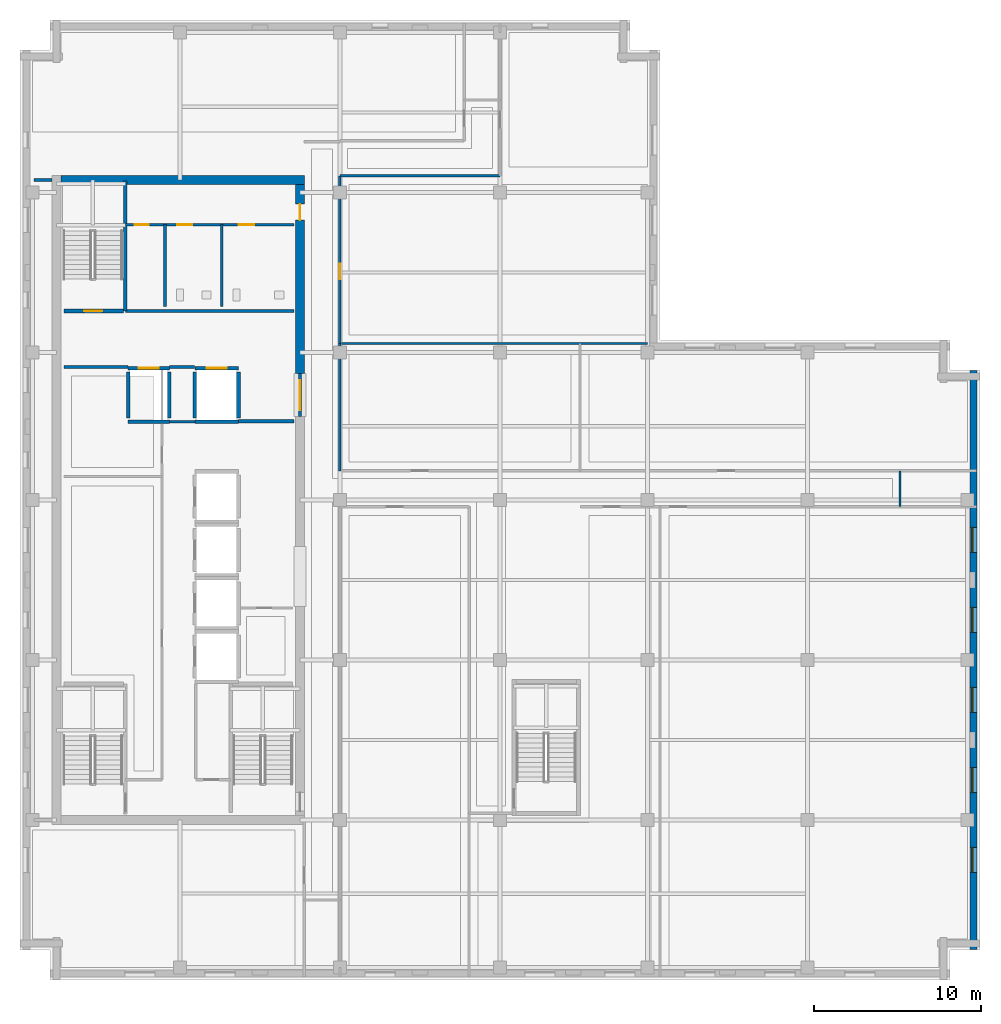
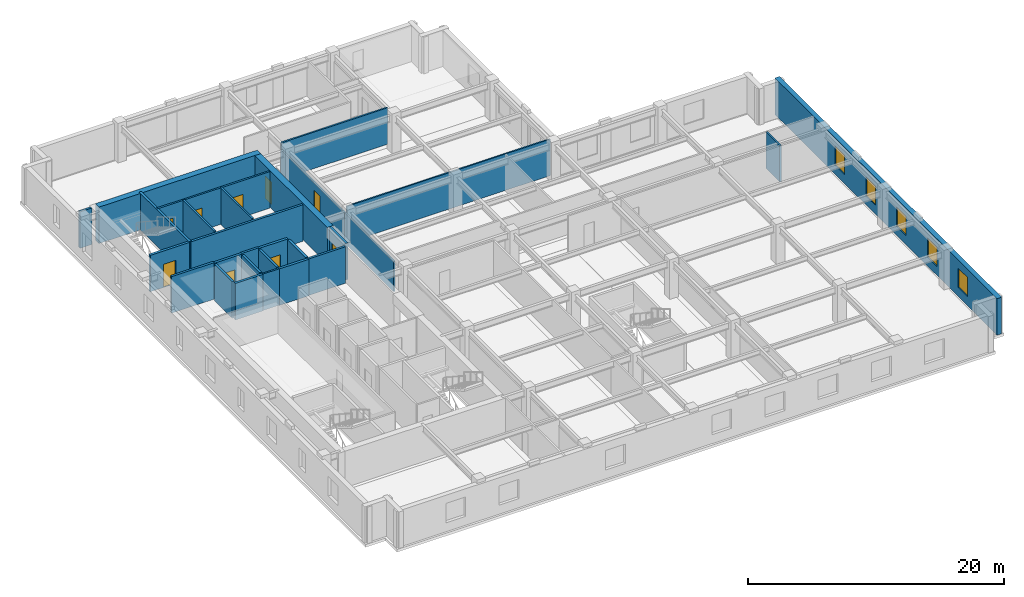
# One storey, part 5 of 11: 28 walls, 9 doors, 5 windows, 14 openings.
"""IFC4 building model written with IfcOpenShell, lengths in metres."""

import ifcopenshell
import ifcopenshell.guid

model = None  # the IFC model being written
_history = None  # IfcOwnerHistory: only IFC2X3 demands one
_inside = {}  # id of a spatial element -> (the spatial element, [elements in it])
_under = {}  # id of a project, library or spatial element -> (it, [spatial elements below it])
_declared = {}  # id of a project -> (the project, [libraries it declares])
_typed = {}  # id of a type object -> (the type object, [elements of that type])
_made_of = {}  # id of a material, layer set ... -> (it, [elements and type objects made of it])


def new_model(schema):
    """Start an empty IFC model of exactly this schema.

    Asked for "IFC4X3", IfcOpenShell would pick the latest addendum, in which some entities
    have other attributes; the version numbers below select the first issue.
    IFC2X3 requires an IfcOwnerHistory on every rooted entity: one is made here for all.
    """
    global model, _history
    if schema == "IFC4X3":
        model = ifcopenshell.file(schema_version=(4, 3, 0, 0))
    else:
        model = ifcopenshell.file(schema=schema)
    _inside.clear()
    _under.clear()
    _declared.clear()
    _typed.clear()
    _made_of.clear()
    _history = None
    if model.schema == "IFC2X3":
        org = make("IfcOrganization", Name="unknown")
        user = make(
            "IfcPersonAndOrganization",
            ThePerson=make("IfcPerson", FamilyName="unknown"),
            TheOrganization=org,
        )
        app = make(
            "IfcApplication",
            ApplicationDeveloper=org,
            Version="unknown",
            ApplicationFullName="unknown",
            ApplicationIdentifier="unknown",
        )
        _history = make(
            "IfcOwnerHistory",
            OwningUser=user,
            OwningApplication=app,
            ChangeAction="ADDED",
            CreationDate=0,
        )
    return model


def make(cls, **values):
    """One entity of the class cls with the attributes given. An attribute that is None is left unset."""
    return model.create_entity(
        cls, **{name: value for name, value in values.items() if value is not None}
    )


def rooted(cls, **values):
    """An entity with a GlobalId (a new one), such as an element, a storey or a relation."""
    return make(cls, GlobalId=ifcopenshell.guid.new(), OwnerHistory=_history, **values)


def si_unit(unit_type, name, prefix=None):
    """IfcSIUnit, for example si_unit("LENGTHUNIT", "METRE", prefix="MILLI")."""
    return make("IfcSIUnit", UnitType=unit_type, Prefix=prefix, Name=name)


def assignment(units):
    """IfcUnitAssignment: the units of a project."""
    return None if units is None else make("IfcUnitAssignment", Units=units)


def point(xyz):
    """IfcCartesianPoint."""
    return None if xyz is None else make("IfcCartesianPoint", Coordinates=xyz)


def direction(xyz):
    """IfcDirection."""
    return None if xyz is None else make("IfcDirection", DirectionRatios=xyz)


def frame(location, z_axis=None, x_axis=None):
    """IfcAxis2Placement3D, a coordinate frame: its origin and axes. An axis left out is left unset."""
    return make(
        "IfcAxis2Placement3D",
        Location=point(location),
        Axis=direction(z_axis),
        RefDirection=direction(x_axis),
    )


def frame_2d(location, x_axis=None):
    """IfcAxis2Placement2D, a coordinate frame in the plane: its origin and x axis."""
    return make(
        "IfcAxis2Placement2D", Location=point(location), RefDirection=direction(x_axis)
    )


def origin():
    """The frame at (0, 0, 0) with its axes left unset."""
    return frame((0.0, 0.0, 0.0))


def place(relative_to, where):
    """IfcLocalPlacement: puts the frame where relative to a parent placement (None: the world)."""
    return make(
        "IfcLocalPlacement", PlacementRelTo=relative_to, RelativePlacement=where
    )


def context(
    kind, dimensions, precision=None, world=None, true_north=None, identifier=None
):
    """IfcGeometricRepresentationContext, for example the 3D "Model" context."""
    return make(
        "IfcGeometricRepresentationContext",
        ContextIdentifier=identifier,
        ContextType=kind,
        CoordinateSpaceDimension=dimensions,
        Precision=precision,
        WorldCoordinateSystem=world,
        TrueNorth=true_north,
    )


def subcontext(parent, identifier, kind, view, scale=None):
    """IfcGeometricRepresentationSubContext, for example "Body" below "Model"."""
    return make(
        "IfcGeometricRepresentationSubContext",
        ContextIdentifier=identifier,
        ContextType=kind,
        ParentContext=parent,
        TargetScale=scale,
        TargetView=view,
    )


def project(units=None, contexts=None):
    """IfcProject with its units and contexts."""
    return rooted(
        "IfcProject",
        Name="project",
        RepresentationContexts=contexts,
        UnitsInContext=assignment(units),
    )


def spatial(cls, under=None, at=None, **own):
    """A site, building, storey or space (cls), placed at a placement, below another one or the project."""
    s = rooted(cls, ObjectPlacement=at, **own)
    if under is not None:
        _under.setdefault(under.id(), (under, []))[1].append(s)
    return s


def profile(cls, at=None, kind="AREA", **sizes):
    """A parametric profile (cls). Its sizes go by their IFC names, for example OverallWidth=200.0."""
    return make(cls, ProfileType=kind, Position=at, **sizes)


def rectangle(**sizes):
    """IfcRectangleProfileDef."""
    return profile("IfcRectangleProfileDef", **sizes)


def extrude(swept, where, along, depth):
    """IfcExtrudedAreaSolid: the profile swept, set in the frame where, extruded along a direction by depth."""
    return make(
        "IfcExtrudedAreaSolid",
        SweptArea=swept,
        Position=where,
        ExtrudedDirection=direction(along),
        Depth=depth,
    )


def shape(context_of_items, identifier, shape_type, items):
    """IfcShapeRepresentation: the items that make up one representation, for example the "Body"."""
    return make(
        "IfcShapeRepresentation",
        ContextOfItems=context_of_items,
        RepresentationIdentifier=identifier,
        RepresentationType=shape_type,
        Items=items,
    )


def material(Name=None, Category=None):
    """IfcMaterial."""
    return make("IfcMaterial", Name=Name, Category=Category)


def layer(
    of_material, thickness, ventilated=None, Name=None, Category=None, Priority=None
):
    """IfcMaterialLayer: one layer of a wall or slab, of a material (None: an air gap)."""
    return make(
        "IfcMaterialLayer",
        Material=of_material,
        LayerThickness=thickness,
        IsVentilated=ventilated,
        Name=Name,
        Category=Category,
        Priority=Priority,
    )


def layer_set(layers, Name=None):
    """IfcMaterialLayerSet."""
    return make("IfcMaterialLayerSet", MaterialLayers=layers, LayerSetName=Name)


def made_of(thing, what):
    """Note that an element or type object is made of a material, layer set ...; save() writes the relation."""
    if what is not None:
        _made_of.setdefault(what.id(), (what, []))[1].append(thing)
    return thing


def type_object(cls, material=None, **own):
    """A type object (cls), such as IfcWallType, which elements share."""
    return made_of(rooted(cls, **own), material)


def element(
    cls,
    number,
    at=None,
    inside=None,
    cuts=None,
    type_object=None,
    material=None,
    context=None,
    identifier="Body",
    shape_type=None,
    held_by="IfcProductDefinitionShape",
    body=None,
    shapes=None,
    **own,
):
    """One element of the class cls, such as IfcWall. Its Tag is "e" and its number.

    at: its placement. inside: the storey or other place that contains it. cuts: it is an
    opening in that element (IfcRelVoidsElement). A single representation is given by context,
    identifier, shape_type and body (its items); several are given by shapes. held_by: the class
    of the entity that holds the representations. save() writes the other relations.
    """
    e = rooted(cls, Tag="e%d" % number, ObjectPlacement=at, **own)
    if body is not None:
        shapes = [shape(context, identifier, shape_type, body)]
    if shapes is not None:
        e.Representation = make(held_by, Representations=shapes)
    if inside is not None:
        _inside.setdefault(inside.id(), (inside, []))[1].append(e)
    if cuts is not None:
        rooted(
            "IfcRelVoidsElement", RelatingBuildingElement=cuts, RelatedOpeningElement=e
        )
    if type_object is not None:
        _typed.setdefault(type_object.id(), (type_object, []))[1].append(e)
    return made_of(e, material)


def fill(opening, filler):
    """IfcRelFillsElement: the door or window that sits in an opening."""
    return rooted(
        "IfcRelFillsElement",
        RelatingOpeningElement=opening,
        RelatedBuildingElement=filler,
    )


def aggregate(whole, parts):
    """IfcRelAggregates: a whole, such as a stair, and the parts it consists of."""
    return rooted("IfcRelAggregates", RelatingObject=whole, RelatedObjects=parts)


def save(model, path):
    """Write the relations noted so far, then the file.

    IfcRelAggregates (storeys below a building ...), IfcRelContainedInSpatialStructure (elements
    in a storey), IfcRelDefinesByType, IfcRelAssociatesMaterial and IfcRelDeclares: one each for
    every whole, place, type object, material and project.
    """
    for whole, parts in _under.values():
        aggregate(whole, parts)
    for where, things in _inside.values():
        rooted(
            "IfcRelContainedInSpatialStructure",
            RelatedElements=things,
            RelatingStructure=where,
        )
    for kind, things in _typed.values():
        rooted("IfcRelDefinesByType", RelatedObjects=things, RelatingType=kind)
    for what, things in _made_of.values():
        rooted("IfcRelAssociatesMaterial", RelatedObjects=things, RelatingMaterial=what)
    for by, libraries in _declared.values():
        rooted("IfcRelDeclares", RelatingContext=by, RelatedDefinitions=libraries)
    model.write(path)


model = new_model("IFC4")

# Units and contexts
model_context = context("Model", 3, precision=1e-05, world=origin(), true_north=direction((0.0, 1.0)))
body_context = subcontext(model_context, "Body", "Model", "MODEL_VIEW")
ifc_project = project(units=[si_unit("LENGTHUNIT", "METRE"), si_unit("AREAUNIT", "SQUARE_METRE"), si_unit("VOLUMEUNIT", "CUBIC_METRE"), si_unit("PLANEANGLEUNIT", "RADIAN"), si_unit("MASSUNIT", "GRAM", prefix="KILO")], contexts=[model_context])

# Site, building, storey
site_placement = place(None, origin())
site = spatial("IfcSite", under=ifc_project, at=site_placement, CompositionType="ELEMENT")
building_placement = place(site_placement, origin())
building = spatial("IfcBuilding", under=site, at=building_placement, Name="Norrvale University Quadrangle", CompositionType="ELEMENT")
storey_placement = place(building_placement, frame((0.0, 0.0, 252.199951171875)))
storey = spatial("IfcBuildingStorey", under=building, at=storey_placement, Name="L64", CompositionType="ELEMENT", Elevation=252.199951171875)

# Wall, openings, windows
ifc_material_1 = material(Name="Buff Norman Clay Brick Masonry", Category="masonry")
ifc_layer_1 = layer(ifc_material_1, 0.419921875, Name="Buff Norman Clay Brick Masonry")
ifc_layer_set_1 = layer_set([ifc_layer_1], Name="Buff Norman Clay Brick Masonry")
wall_type_1 = type_object("IfcWallType", Name="Wall Buff Brick 420", PredefinedType="SOLIDWALL", material=ifc_layer_set_1)
wall_1_placement = place(storey_placement, frame((57.2099609375, 1.840087890625, 0.0), z_axis=(0.0, 0.0, 1.0), x_axis=(0.0, 1.0, 0.0)))
wall_1 = element("IfcWall", 1, at=wall_1_placement, inside=storey, type_object=wall_type_1, Name="Exterior Brick Facade Wall L64-04.1", PredefinedType="SOLIDWALL", context=body_context, shape_type="SweptSolid", body=[
    extrude(rectangle(XDim=34.719970703125, YDim=0.419921875, at=frame_2d((17.35986328125, 0.0))), origin(), (0.0, 0.0, 1.0), 3.47998046875),
])
opening_1_placement = place(wall_1_placement, frame((4.610107421875, 0.0, 0.85009765625)))
opening_1 = element("IfcOpeningElement", 2, at=opening_1_placement, cuts=wall_1, Name="Opening W03", PredefinedType="OPENING", context=body_context, shape_type="SweptSolid", body=[
    extrude(rectangle(XDim=1.5, YDim=1.85009765625, at=frame_2d((0.75, 0.925048828125))), frame((0.0, 0.221923828125, 0.0), z_axis=(0.0, -1.0, 0.0), x_axis=(1.0, 0.0, 0.0)), (0.0, 0.0, 1.0), 0.44384765625),
])
opening_2_placement = place(wall_1_placement, frame((9.409912109375, 0.0, 0.85009765625)))
opening_2 = element("IfcOpeningElement", 3, at=opening_2_placement, cuts=wall_1, Name="Opening W03", PredefinedType="OPENING", context=body_context, shape_type="SweptSolid", body=[
    extrude(rectangle(XDim=1.5, YDim=1.85009765625, at=frame_2d((0.75, 0.925048828125))), frame((0.0, 0.221923828125, 0.0), z_axis=(0.0, -1.0, 0.0), x_axis=(1.0, 0.0, 0.0)), (0.0, 0.0, 1.0), 0.44384765625),
])
opening_3_placement = place(wall_1_placement, frame((14.2099609375, 0.0, 0.85009765625)))
opening_3 = element("IfcOpeningElement", 4, at=opening_3_placement, cuts=wall_1, Name="Opening W03", PredefinedType="OPENING", context=body_context, shape_type="SweptSolid", body=[
    extrude(rectangle(XDim=1.5, YDim=1.85009765625, at=frame_2d((0.75, 0.925048828125))), frame((0.0, 0.221923828125, 0.0), z_axis=(0.0, -1.0, 0.0), x_axis=(1.0, 0.0, 0.0)), (0.0, 0.0, 1.0), 0.44384765625),
])
opening_4_placement = place(wall_1_placement, frame((19.010009765625, 0.0, 0.85009765625)))
opening_4 = element("IfcOpeningElement", 5, at=opening_4_placement, cuts=wall_1, Name="Opening W03", PredefinedType="OPENING", context=body_context, shape_type="SweptSolid", body=[
    extrude(rectangle(XDim=1.5, YDim=1.85009765625, at=frame_2d((0.75, 0.925048828125))), frame((0.0, 0.221923828125, 0.0), z_axis=(0.0, -1.0, 0.0), x_axis=(1.0, 0.0, 0.0)), (0.0, 0.0, 1.0), 0.44384765625),
])
opening_5_placement = place(wall_1_placement, frame((23.81005859375, 0.0, 0.85009765625)))
opening_5 = element("IfcOpeningElement", 6, at=opening_5_placement, cuts=wall_1, Name="Opening W03", PredefinedType="OPENING", context=body_context, shape_type="SweptSolid", body=[
    extrude(rectangle(XDim=1.5, YDim=1.85009765625, at=frame_2d((0.75, 0.925048828125))), frame((0.0, 0.221923828125, 0.0), z_axis=(0.0, -1.0, 0.0), x_axis=(1.0, 0.0, 0.0)), (0.0, 0.0, 1.0), 0.44384765625),
])
ifc_material_2 = material(Name="Triple Low-E Argon Glazing", Category="glass")
window_type = type_object("IfcWindowType", Name="Window Studio 1500x2300", PartitioningType="DOUBLE_PANEL_VERTICAL", PredefinedType="WINDOW", material=ifc_material_2)
window_1_placement = place(opening_1_placement, origin())
window_1 = element("IfcWindow", 7, at=window_1_placement, inside=storey, type_object=window_type, Name="Window Studio 1500x2300 WIN-L64-E04-1-01", OverallHeight=1.85009765625, OverallWidth=1.5, PartitioningType="DOUBLE_PANEL_VERTICAL", PredefinedType="WINDOW", context=body_context, shape_type="SweptSolid", body=[
    extrude(rectangle(XDim=1.5, YDim=1.85009765625, at=frame_2d((0.75, 0.925048828125))), frame((0.0, 0.110107421875, 0.0), z_axis=(0.0, -1.0, 0.0), x_axis=(1.0, 0.0, 0.0)), (0.0, 0.0, 1.0), 0.06005859375),
])
fill(opening_1, window_1)
window_2_placement = place(opening_2_placement, origin())
window_2 = element("IfcWindow", 8, at=window_2_placement, inside=storey, type_object=window_type, Name="Window Studio 1500x2300 WIN-L64-E04-1-02", OverallHeight=1.85009765625, OverallWidth=1.5, PartitioningType="DOUBLE_PANEL_VERTICAL", PredefinedType="WINDOW", context=body_context, shape_type="SweptSolid", body=[
    extrude(rectangle(XDim=1.5, YDim=1.85009765625, at=frame_2d((0.75, 0.925048828125))), frame((0.0, 0.110107421875, 0.0), z_axis=(0.0, -1.0, 0.0), x_axis=(1.0, 0.0, 0.0)), (0.0, 0.0, 1.0), 0.06005859375),
])
fill(opening_2, window_2)
window_3_placement = place(opening_3_placement, origin())
window_3 = element("IfcWindow", 9, at=window_3_placement, inside=storey, type_object=window_type, Name="Window Studio 1500x2300 WIN-L64-E04-1-03", OverallHeight=1.85009765625, OverallWidth=1.5, PartitioningType="DOUBLE_PANEL_VERTICAL", PredefinedType="WINDOW", context=body_context, shape_type="SweptSolid", body=[
    extrude(rectangle(XDim=1.5, YDim=1.85009765625, at=frame_2d((0.75, 0.925048828125))), frame((0.0, 0.110107421875, 0.0), z_axis=(0.0, -1.0, 0.0), x_axis=(1.0, 0.0, 0.0)), (0.0, 0.0, 1.0), 0.06005859375),
])
fill(opening_3, window_3)
window_4_placement = place(opening_4_placement, origin())
window_4 = element("IfcWindow", 10, at=window_4_placement, inside=storey, type_object=window_type, Name="Window Studio 1500x2300 WIN-L64-E04-1-04", OverallHeight=1.85009765625, OverallWidth=1.5, PartitioningType="DOUBLE_PANEL_VERTICAL", PredefinedType="WINDOW", context=body_context, shape_type="SweptSolid", body=[
    extrude(rectangle(XDim=1.5, YDim=1.85009765625, at=frame_2d((0.75, 0.925048828125))), frame((0.0, 0.110107421875, 0.0), z_axis=(0.0, -1.0, 0.0), x_axis=(1.0, 0.0, 0.0)), (0.0, 0.0, 1.0), 0.06005859375),
])
fill(opening_4, window_4)
window_5_placement = place(opening_5_placement, origin())
window_5 = element("IfcWindow", 11, at=window_5_placement, inside=storey, type_object=window_type, Name="Window Studio 1500x2300 WIN-L64-E04-1-05", OverallHeight=1.85009765625, OverallWidth=1.5, PartitioningType="DOUBLE_PANEL_VERTICAL", PredefinedType="WINDOW", context=body_context, shape_type="SweptSolid", body=[
    extrude(rectangle(XDim=1.5, YDim=1.85009765625, at=frame_2d((0.75, 0.925048828125))), frame((0.0, 0.110107421875, 0.0), z_axis=(0.0, -1.0, 0.0), x_axis=(1.0, 0.0, 0.0)), (0.0, 0.0, 1.0), 0.06005859375),
])
fill(opening_5, window_5)

# Wall
ifc_material_3 = material(Name="Concrete C60/75", Category="concrete")
ifc_layer_2 = layer(ifc_material_3, 0.550048828125, Name="Concrete C60/75")
ifc_layer_set_2 = layer_set([ifc_layer_2], Name="Concrete C60/75")
wall_type_2 = type_object("IfcWallType", Name="Wall Core 550", PredefinedType="SHEAR", material=ifc_layer_set_2)
wall_2_placement = place(storey_placement, frame((2.47509765625, 48.0, 0.0), z_axis=(0.0, 0.0, 1.0), x_axis=(1.0, 0.0, 0.0)))
element("IfcWall", 12, at=wall_2_placement, inside=storey, type_object=wall_type_2, Name="Tower Core Shear Wall L64-N", PredefinedType="SHEAR", context=body_context, shape_type="SweptSolid", body=[
    extrude(rectangle(XDim=14.599853515625, YDim=0.550048828125, at=frame_2d((7.2998046875, 0.0))), origin(), (0.0, 0.0, 1.0), 3.47998046875),
])

# Wall, opening, door
wall_3_placement = place(storey_placement, frame((16.800048828125, 36.39990234375, 0.0), z_axis=(0.0, 0.0, 1.0), x_axis=(0.0, 1.0, 0.0)))
wall_3 = element("IfcWall", 13, at=wall_3_placement, inside=storey, type_object=wall_type_2, Name="Tower Core Shear Wall L64-E3", PredefinedType="SHEAR", context=body_context, shape_type="SweptSolid", body=[
    extrude(rectangle(XDim=11.3251953125, YDim=0.550048828125, at=frame_2d((5.66259765625, 0.0))), origin(), (0.0, 0.0, 1.0), 3.47998046875),
])
opening_6_placement = place(wall_3_placement, frame((9.199951171875, 0.0, 0.0)))
opening_6 = element("IfcOpeningElement", 14, at=opening_6_placement, cuts=wall_3, Name="Opening D07", PredefinedType="OPENING", context=body_context, shape_type="SweptSolid", body=[
    extrude(rectangle(XDim=0.949951171875, YDim=2.14990234375, at=frame_2d((0.47509765625, 1.074951171875))), frame((0.0, 0.287109375, 0.0), z_axis=(0.0, -1.0, 0.0), x_axis=(1.0, 0.0, 0.0)), (0.0, 0.0, 1.0), 0.573974609375),
])
ifc_material_4 = material(Name="Solid-Core Maple Door", Category="wood")
door_type_1 = type_object("IfcDoorType", Name="Door Office 950x2150", OperationType="NOTDEFINED", PredefinedType="DOOR", material=ifc_material_4)
door_1_placement = place(opening_6_placement, origin())
door_1 = element("IfcDoor", 15, at=door_1_placement, inside=storey, type_object=door_type_1, Name="Door Office 950x2150 DR-L64-NECORR", OperationType="SINGLE_SWING_LEFT", OverallHeight=2.14990234375, OverallWidth=0.949951171875, PredefinedType="DOOR", context=body_context, shape_type="SweptSolid", body=[
    extrude(rectangle(XDim=0.949951171875, YDim=2.14990234375, at=frame_2d((0.47509765625, 1.074951171875))), frame((0.0, 0.02490234375, 0.0), z_axis=(0.0, -1.0, 0.0), x_axis=(1.0, 0.0, 0.0)), (0.0, 0.0, 1.0), 0.050048828125),
])
fill(opening_6, door_1)

# Walls
ifc_material_5 = material(Name="Standard Academic Gypsum Partition")
ifc_layer_3 = layer(ifc_material_5, 0.125, Name="Standard Academic Gypsum Partition")
ifc_layer_set_3 = layer_set([ifc_layer_3], Name="Standard Academic Gypsum Partition")
wall_type_3 = type_object("IfcWallType", Name="Wall Gypsum Academic 125", PredefinedType="PARTITIONING", material=ifc_layer_set_3)
wall_4_placement = place(storey_placement, frame((19.280029296875, 38.179931640625, 0.0), z_axis=(0.0, 0.0, 1.0), x_axis=(1.0, 0.0, 0.0)))
element("IfcWall", 16, at=wall_4_placement, inside=storey, type_object=wall_type_3, Name="Interior Partition WL-L64-ME-N", PredefinedType="PARTITIONING", context=body_context, shape_type="SweptSolid", body=[
    extrude(rectangle(XDim=18.369873046875, YDim=0.125, at=frame_2d((9.18505859375, 0.0))), origin(), (0.0, 0.0, 1.0), 3.47998046875),
])
ifc_material_6 = material(Name="Fire-Rated Gypsum Stud Partition")
ifc_layer_4 = layer(ifc_material_6, 0.14990234375, Name="Fire-Rated Gypsum Stud Partition")
ifc_layer_set_4 = layer_set([ifc_layer_4], Name="Fire-Rated Gypsum Stud Partition")
wall_type_4 = type_object("IfcWallType", Name="Wall Gypsum Corridor 150", PredefinedType="PARTITIONING", material=ifc_layer_set_4)
wall_5_placement = place(storey_placement, frame((8.965087890625, 33.489990234375, 0.0), z_axis=(0.0, 0.0, 1.0), x_axis=(1.0, 0.0, 0.0)))
element("IfcWall", 17, at=wall_5_placement, inside=storey, type_object=wall_type_4, Name="Interior Partition WL-L64-LL3", PredefinedType="PARTITIONING", context=body_context, shape_type="SweptSolid", body=[
    extrude(rectangle(XDim=1.52001953125, YDim=0.14990234375, at=frame_2d((0.760009765625, 0.0))), origin(), (0.0, 0.0, 1.0), 3.47998046875),
])
wall_6_placement = place(storey_placement, frame((52.800048828125, 28.39990234375, 0.0), z_axis=(0.0, 0.0, 1.0), x_axis=(0.0, 1.0, 0.0)))
element("IfcWall", 18, at=wall_6_placement, inside=storey, type_object=wall_type_4, Name="Interior Partition WL-L64-CESP-E", PredefinedType="PARTITIONING", context=body_context, shape_type="SweptSolid", body=[
    extrude(rectangle(XDim=2.150146484375, YDim=0.14990234375, at=frame_2d((1.0751953125, 0.0))), origin(), (0.0, 0.0, 1.0), 3.47998046875),
])
wall_7_placement = place(storey_placement, frame((19.199951171875, 30.550048828125, 0.0), z_axis=(0.0, 0.0, 1.0), x_axis=(0.0, 1.0, 0.0)))
element("IfcWall", 19, at=wall_7_placement, inside=storey, type_object=wall_type_4, Name="Interior Partition WL-L64-ME-W", PredefinedType="PARTITIONING", context=body_context, shape_type="SweptSolid", body=[
    extrude(rectangle(XDim=7.6298828125, YDim=0.14990234375, at=frame_2d((3.81494140625, 0.0))), origin(), (0.0, 0.0, 1.0), 2.863037109375),
])

# Wall, opening, door
wall_8_placement = place(storey_placement, frame((19.199951171875, 38.179931640625, 0.0), z_axis=(0.0, 0.0, 1.0), x_axis=(0.0, 1.0, 0.0)))
wall_8 = element("IfcWall", 20, at=wall_8_placement, inside=storey, type_object=wall_type_4, Name="Interior Partition WL-L64-MNECW", PredefinedType="PARTITIONING", context=body_context, shape_type="SweptSolid", body=[
    extrude(rectangle(XDim=10.070068359375, YDim=0.14990234375, at=frame_2d((5.03515625, 0.0))), origin(), (0.0, 0.0, 1.0), 2.863037109375),
])
opening_7_placement = place(wall_8_placement, frame((3.85009765625, 0.0, 0.0)))
opening_7 = element("IfcOpeningElement", 21, at=opening_7_placement, cuts=wall_8, Name="Opening D07", PredefinedType="OPENING", context=body_context, shape_type="SweptSolid", body=[
    extrude(rectangle(XDim=0.949951171875, YDim=2.14990234375, at=frame_2d((0.47509765625, 1.074951171875))), frame((0.0, 0.0869140625, 0.0), z_axis=(0.0, -1.0, 0.0), x_axis=(1.0, 0.0, 0.0)), (0.0, 0.0, 1.0), 0.173828125),
])
door_2_placement = place(opening_7_placement, origin())
door_2 = element("IfcDoor", 22, at=door_2_placement, inside=storey, type_object=door_type_1, Name="Door Office 950x2150 DR-L64-MNE01", OperationType="SINGLE_SWING_RIGHT", OverallHeight=2.14990234375, OverallWidth=0.949951171875, PredefinedType="DOOR", context=body_context, shape_type="SweptSolid", body=[
    extrude(rectangle(XDim=0.949951171875, YDim=2.14990234375, at=frame_2d((0.47509765625, 1.074951171875))), frame((0.0, 0.02490234375, 0.0), z_axis=(0.0, -1.0, 0.0), x_axis=(1.0, 0.0, 0.0)), (0.0, 0.0, 1.0), 0.050048828125),
])
fill(opening_7, door_2)

# Wall
wall_9_placement = place(storey_placement, frame((19.199951171875, 48.25, 0.0), z_axis=(0.0, 0.0, 1.0), x_axis=(1.0, 0.0, 0.0)))
element("IfcWall", 23, at=wall_9_placement, inside=storey, type_object=wall_type_4, Name="Interior Partition WL-L64-JOGS", PredefinedType="PARTITIONING", context=body_context, shape_type="SweptSolid", body=[
    extrude(rectangle(XDim=9.60009765625, YDim=0.14990234375, at=frame_2d((4.800048828125, 0.0))), origin(), (0.0, 0.0, 1.0), 3.47998046875),
])

# Wall, openings, doors
ifc_material_7 = material(Name="Sanitary Chase Gypsum Partition")
ifc_layer_5 = layer(ifc_material_7, 0.1650390625, Name="Sanitary Chase Gypsum Partition")
ifc_layer_set_5 = layer_set([ifc_layer_5], Name="Sanitary Chase Gypsum Partition")
wall_type_5 = type_object("IfcWallType", Name="Wall Gypsum Sanitary 165", PredefinedType="PLUMBINGWALL", material=ifc_layer_set_5)
wall_10_placement = place(storey_placement, frame((6.320068359375, 45.320068359375, 0.0), z_axis=(0.0, 0.0, 1.0), x_axis=(1.0, 0.0, 0.0)))
wall_10 = element("IfcWall", 24, at=wall_10_placement, inside=storey, type_object=wall_type_5, Name="Interior Partition WL-L64-WCN", PredefinedType="PLUMBINGWALL", context=body_context, shape_type="SweptSolid", body=[
    extrude(rectangle(XDim=10.1298828125, YDim=0.1650390625, at=frame_2d((5.06494140625, 0.0))), origin(), (0.0, 0.0, 1.0), 3.47998046875),
])
opening_8_placement = place(wall_10_placement, frame((0.550048828125, 0.0, 0.0)))
opening_8 = element("IfcOpeningElement", 25, at=opening_8_placement, cuts=wall_10, Name="Opening D10", PredefinedType="OPENING", context=body_context, shape_type="SweptSolid", body=[
    extrude(rectangle(XDim=0.85009765625, YDim=2.10009765625, at=frame_2d((0.425048828125, 1.050048828125))), frame((0.0, 0.094482421875, 0.0), z_axis=(0.0, -1.0, 0.0), x_axis=(1.0, 0.0, 0.0)), (0.0, 0.0, 1.0), 0.18896484375),
])
opening_9_placement = place(wall_10_placement, frame((3.10009765625, 0.0, 0.0)))
opening_9 = element("IfcOpeningElement", 26, at=opening_9_placement, cuts=wall_10, Name="Opening D08", PredefinedType="OPENING", context=body_context, shape_type="SweptSolid", body=[
    extrude(rectangle(XDim=0.919921875, YDim=2.14990234375, at=frame_2d((0.4599609375, 1.074951171875))), frame((0.0, 0.094482421875, 0.0), z_axis=(0.0, -1.0, 0.0), x_axis=(1.0, 0.0, 0.0)), (0.0, 0.0, 1.0), 0.18896484375),
])
opening_10_placement = place(wall_10_placement, frame((6.800048828125, 0.0, 0.0)))
opening_10 = element("IfcOpeningElement", 27, at=opening_10_placement, cuts=wall_10, Name="Opening D08", PredefinedType="OPENING", context=body_context, shape_type="SweptSolid", body=[
    extrude(rectangle(XDim=0.919921875, YDim=2.14990234375, at=frame_2d((0.4599609375, 1.074951171875))), frame((0.0, 0.094482421875, 0.0), z_axis=(0.0, -1.0, 0.0), x_axis=(1.0, 0.0, 0.0)), (0.0, 0.0, 1.0), 0.18896484375),
])
ifc_material_8 = material(Name="Hollow Steel 350W Riser Fire Door", Category="steel")
door_type_2 = type_object("IfcDoorType", Name="Door Riser 850x2100", OperationType="NOTDEFINED", PredefinedType="DOOR", material=ifc_material_8)
door_3_placement = place(opening_8_placement, origin())
door_3 = element("IfcDoor", 28, at=door_3_placement, inside=storey, type_object=door_type_2, Name="Door Riser 850x2100 DR-L64-WC1", OperationType="SINGLE_SWING_LEFT", OverallHeight=2.10009765625, OverallWidth=0.85009765625, PredefinedType="DOOR", context=body_context, shape_type="SweptSolid", body=[
    extrude(rectangle(XDim=0.85009765625, YDim=2.10009765625, at=frame_2d((0.425048828125, 1.050048828125))), frame((0.0, 0.02490234375, 0.0), z_axis=(0.0, -1.0, 0.0), x_axis=(1.0, 0.0, 0.0)), (0.0, 0.0, 1.0), 0.050048828125),
])
fill(opening_8, door_3)
ifc_material_9 = material(Name="Laminate Washroom Door", Category="wood")
door_type_3 = type_object("IfcDoorType", Name="Door Washroom 920x2150", OperationType="NOTDEFINED", PredefinedType="DOOR", material=ifc_material_9)
door_4_placement = place(opening_9_placement, origin())
door_4 = element("IfcDoor", 29, at=door_4_placement, inside=storey, type_object=door_type_3, Name="Door Washroom 920x2150 DR-L64-WC2", OperationType="SINGLE_SWING_RIGHT", OverallHeight=2.14990234375, OverallWidth=0.919921875, PredefinedType="DOOR", context=body_context, shape_type="SweptSolid", body=[
    extrude(rectangle(XDim=0.919921875, YDim=2.14990234375, at=frame_2d((0.4599609375, 1.074951171875))), frame((0.0, 0.02490234375, 0.0), z_axis=(0.0, -1.0, 0.0), x_axis=(1.0, 0.0, 0.0)), (0.0, 0.0, 1.0), 0.050048828125),
])
fill(opening_9, door_4)
door_5_placement = place(opening_10_placement, origin())
door_5 = element("IfcDoor", 30, at=door_5_placement, inside=storey, type_object=door_type_3, Name="Door Washroom 920x2150 DR-L64-WC3", OperationType="SINGLE_SWING_LEFT", OverallHeight=2.14990234375, OverallWidth=0.919921875, PredefinedType="DOOR", context=body_context, shape_type="SweptSolid", body=[
    extrude(rectangle(XDim=0.919921875, YDim=2.14990234375, at=frame_2d((0.4599609375, 1.074951171875))), frame((0.0, 0.02490234375, 0.0), z_axis=(0.0, -1.0, 0.0), x_axis=(1.0, 0.0, 0.0)), (0.0, 0.0, 1.0), 0.050048828125),
])
fill(opening_10, door_5)

# Walls
for number, where, z_axis, x_axis, name in (
    (31, (8.699951171875, 40.39990234375, 0.0), (0.0, 0.0, 1.0), (0.0, 1.0, 0.0), "Interior Partition WL-L64-WCM1"),
    (32, (12.10009765625, 40.39990234375, 0.0), (0.0, 0.0, 1.0), (0.0, 1.0, 0.0), "Interior Partition WL-L64-WCM2"),
):
    element("IfcWall", number, at=place(storey_placement, frame(where, z_axis=z_axis, x_axis=x_axis)), inside=storey, type_object=wall_type_5, Name=name, PredefinedType="PLUMBINGWALL", context=body_context, shape_type="SweptSolid", body=[
        extrude(rectangle(XDim=4.920166015625, YDim=0.1650390625, at=frame_2d((2.4599609375, 0.0))), origin(), (0.0, 0.0, 1.0), 3.47998046875),
    ])
ifc_material_10 = material(Name="Concrete Blockwork 20 MPa Rated Wall", Category="masonry")
ifc_layer_6 = layer(ifc_material_10, 0.199951171875, Name="Concrete Blockwork 20 MPa Rated Wall")
ifc_layer_set_6 = layer_set([ifc_layer_6], Name="Concrete Blockwork 20 MPa Rated Wall")
wall_type_6 = type_object("IfcWallType", Name="Wall Lobby 200", PredefinedType="SOLIDWALL", material=ifc_layer_set_6)
wall_11_placement = place(storey_placement, frame((2.64990234375, 36.780029296875, 0.0), z_axis=(0.0, 0.0, 1.0), x_axis=(1.0, 0.0, 0.0)))
element("IfcWall", 33, at=wall_11_placement, inside=storey, type_object=wall_type_6, Name="Interior Partition WL-L64-FF1", PredefinedType="SOLIDWALL", context=body_context, shape_type="SweptSolid", body=[
    extrude(rectangle(XDim=3.830078125, YDim=0.199951171875, at=frame_2d((1.9150390625, 0.0))), origin(), (0.0, 0.0, 1.0), 3.47998046875),
])
wall_12_placement = place(storey_placement, frame((8.969970703125, 36.780029296875, 0.0), z_axis=(0.0, 0.0, 1.0), x_axis=(1.0, 0.0, 0.0)))
element("IfcWall", 34, at=wall_12_placement, inside=storey, type_object=wall_type_6, Name="Interior Partition WL-L64-FF2", PredefinedType="SOLIDWALL", context=body_context, shape_type="SweptSolid", body=[
    extrude(rectangle(XDim=1.510009765625, YDim=0.199951171875, at=frame_2d((0.7548828125, 0.0))), origin(), (0.0, 0.0, 1.0), 3.47998046875),
])
wall_13_placement = place(storey_placement, frame((13.1201171875, 33.52001953125, 0.0), z_axis=(0.0, 0.0, 1.0), x_axis=(1.0, 0.0, 0.0)))
element("IfcWall", 35, at=wall_13_placement, inside=storey, type_object=wall_type_6, Name="Interior Partition WL-L64-FF3", PredefinedType="SOLIDWALL", context=body_context, shape_type="SweptSolid", body=[
    extrude(rectangle(XDim=3.329833984375, YDim=0.199951171875, at=frame_2d((1.6650390625, 0.0))), origin(), (0.0, 0.0, 1.0), 3.47998046875),
])
wall_14_placement = place(storey_placement, frame((6.320068359375, 40.139892578125, 0.0), z_axis=(0.0, 0.0, 1.0), x_axis=(1.0, 0.0, 0.0)))
element("IfcWall", 36, at=wall_14_placement, inside=storey, type_object=wall_type_6, Name="Interior Partition WL-L64-FF4", PredefinedType="SOLIDWALL", context=body_context, shape_type="SweptSolid", body=[
    extrude(rectangle(XDim=10.1298828125, YDim=0.199951171875, at=frame_2d((5.06494140625, 0.0))), origin(), (0.0, 0.0, 1.0), 3.47998046875),
])

# Wall, opening, door
wall_15_placement = place(storey_placement, frame((16.800048828125, 33.800048828125, 0.0), z_axis=(0.0, 0.0, 1.0), x_axis=(0.0, 1.0, 0.0)))
wall_15 = element("IfcWall", 37, at=wall_15_placement, inside=storey, type_object=wall_type_6, Name="Interior Partition WL-L64-FFP", PredefinedType="SOLIDWALL", context=body_context, shape_type="SweptSolid", body=[
    extrude(rectangle(XDim=2.599853515625, YDim=0.199951171875, at=frame_2d((1.2998046875, 0.0))), origin(), (0.0, 0.0, 1.0), 3.47998046875),
])
opening_11_placement = place(wall_15_placement, frame((0.39990234375, 0.0, 0.0)))
opening_11 = element("IfcOpeningElement", 38, at=opening_11_placement, cuts=wall_15, Name="Opening D03", PredefinedType="OPENING", context=body_context, shape_type="SweptSolid", body=[
    extrude(rectangle(XDim=1.800048828125, YDim=2.199951171875, at=frame_2d((0.89990234375, 1.10009765625))), frame((0.0, 0.112060546875, 0.0), z_axis=(0.0, -1.0, 0.0), x_axis=(1.0, 0.0, 0.0)), (0.0, 0.0, 1.0), 0.223876953125),
])
ifc_material_11 = material(Name="Hollow Steel 350W Fire Door", Category="steel")
door_type_4 = type_object("IfcDoorType", Name="Door Fire Lobby 1800x2200", OperationType="DOUBLE_DOOR_SINGLE_SWING", PredefinedType="DOOR", material=ifc_material_11)
door_6_placement = place(opening_11_placement, origin())
door_6 = element("IfcDoor", 39, at=door_6_placement, inside=storey, type_object=door_type_4, Name="Door Fire Lobby 1800x2200 DR-L64-FFP", OperationType="DOUBLE_DOOR_SINGLE_SWING", OverallHeight=2.199951171875, OverallWidth=1.800048828125, PredefinedType="DOOR", context=body_context, shape_type="SweptSolid", body=[
    extrude(rectangle(XDim=1.800048828125, YDim=2.199951171875, at=frame_2d((0.89990234375, 1.10009765625))), frame((0.0, 0.02490234375, 0.0), z_axis=(0.0, -1.0, 0.0), x_axis=(1.0, 0.0, 0.0)), (0.0, 0.0, 1.0), 0.050048828125),
])
fill(opening_11, door_6)

# Wall
wall_16_placement = place(storey_placement, frame((0.85009765625, 48.0, 0.0), z_axis=(0.0, 0.0, 1.0), x_axis=(1.0, 0.0, 0.0)))
element("IfcWall", 40, at=wall_16_placement, inside=storey, type_object=wall_type_6, Name="Interior Partition WL-L64-CWRET-N", PredefinedType="SOLIDWALL", context=body_context, shape_type="SweptSolid", body=[
    extrude(rectangle(XDim=1.06982421875, YDim=0.199951171875, at=frame_2d((0.534912109375, 0.0))), origin(), (0.0, 0.0, 1.0), 3.47998046875),
])

# Wall, opening, door
ifc_material_12 = material(Name="Concrete Blockwork 20 MPa Fire Shaft", Category="masonry")
ifc_layer_7 = layer(ifc_material_12, 0.219970703125, Name="Concrete Blockwork 20 MPa Fire Shaft")
ifc_layer_set_7 = layer_set([ifc_layer_7], Name="Concrete Blockwork 20 MPa Fire Shaft")
wall_type_7 = type_object("IfcWallType", Name="Wall Shaft 220", PredefinedType="SOLIDWALL", material=ifc_layer_set_7)
wall_17_placement = place(storey_placement, frame((2.64990234375, 40.139892578125, 0.0), z_axis=(0.0, 0.0, 1.0), x_axis=(1.0, 0.0, 0.0)))
wall_17 = element("IfcWall", 41, at=wall_17_placement, inside=storey, type_object=wall_type_7, Name="Stair ST-02 South Shaft Wall L64", PredefinedType="SOLIDWALL", context=body_context, shape_type="SweptSolid", body=[
    extrude(rectangle(XDim=3.550048828125, YDim=0.219970703125, at=frame_2d((1.77490234375, 0.0))), origin(), (0.0, 0.0, 1.0), 3.47998046875),
])
opening_12_placement = place(wall_17_placement, frame((1.199951171875, 0.0, 0.0)))
opening_12 = element("IfcOpeningElement", 42, at=opening_12_placement, cuts=wall_17, Name="Opening D02", PredefinedType="OPENING", context=body_context, shape_type="SweptSolid", body=[
    extrude(rectangle(XDim=1.10009765625, YDim=2.199951171875, at=frame_2d((0.550048828125, 1.10009765625))), frame((0.0, 0.1220703125, 0.0), z_axis=(0.0, -1.0, 0.0), x_axis=(1.0, 0.0, 0.0)), (0.0, 0.0, 1.0), 0.243896484375),
])
door_type_5 = type_object("IfcDoorType", Name="Door Stair Exit 1100x2200", OperationType="NOTDEFINED", PredefinedType="DOOR", material=ifc_material_11)
door_7_placement = place(opening_12_placement, origin())
door_7 = element("IfcDoor", 43, at=door_7_placement, inside=storey, type_object=door_type_5, Name="Door Stair Exit 1100x2200 DR-L64-ST02", OperationType="SINGLE_SWING_LEFT", OverallHeight=2.199951171875, OverallWidth=1.10009765625, PredefinedType="DOOR", context=body_context, shape_type="SweptSolid", body=[
    extrude(rectangle(XDim=1.10009765625, YDim=2.199951171875, at=frame_2d((0.550048828125, 1.10009765625))), frame((0.0, 0.02490234375, 0.0), z_axis=(0.0, -1.0, 0.0), x_axis=(1.0, 0.0, 0.0)), (0.0, 0.0, 1.0), 0.050048828125),
])
fill(opening_12, door_7)

# Walls
wall_18_placement = place(storey_placement, frame((6.31005859375, 40.139892578125, 0.0), z_axis=(0.0, 0.0, 1.0), x_axis=(0.0, 1.0, 0.0)))
element("IfcWall", 44, at=wall_18_placement, inside=storey, type_object=wall_type_7, Name="Stair ST-02 East Shaft Wall L64", PredefinedType="SOLIDWALL", context=body_context, shape_type="SweptSolid", body=[
    extrude(rectangle(XDim=7.81005859375, YDim=0.219970703125, at=frame_2d((3.905029296875, 0.0))), origin(), (0.0, 0.0, 1.0), 3.47998046875),
])
for number, where, z_axis, x_axis, name in (
    (45, (6.489990234375, 33.7099609375, 0.0), (0.0, 0.0, 1.0), (0.0, 1.0, 0.0), "Hoistway FFL-01 West Wall L64"),
    (46, (8.9599609375, 33.7099609375, 0.0), (0.0, 0.0, 1.0), (0.0, 1.0, 0.0), "Hoistway FFL-01 East Wall L64"),
):
    element("IfcWall", number, at=place(storey_placement, frame(where, z_axis=z_axis, x_axis=x_axis)), inside=storey, type_object=wall_type_7, Name=name, PredefinedType="SOLIDWALL", context=body_context, shape_type="SweptSolid", body=[
        extrude(rectangle(XDim=2.780029296875, YDim=0.219970703125, at=frame_2d((1.39013671875, 0.0))), origin(), (0.0, 0.0, 1.0), 3.47998046875),
    ])
wall_19_placement = place(storey_placement, frame((6.489990234375, 33.489990234375, 0.0), z_axis=(0.0, 0.0, 1.0), x_axis=(1.0, 0.0, 0.0)))
element("IfcWall", 47, at=wall_19_placement, inside=storey, type_object=wall_type_7, Name="Hoistway FFL-01 South Wall L64", PredefinedType="SOLIDWALL", context=body_context, shape_type="SweptSolid", body=[
    extrude(rectangle(XDim=2.469970703125, YDim=0.219970703125, at=frame_2d((1.23486328125, 0.0))), origin(), (0.0, 0.0, 1.0), 3.47998046875),
])

# Wall, opening, door
wall_20_placement = place(storey_placement, frame((6.489990234375, 36.7099609375, 0.0), z_axis=(0.0, 0.0, 1.0), x_axis=(1.0, 0.0, 0.0)))
wall_20 = element("IfcWall", 48, at=wall_20_placement, inside=storey, type_object=wall_type_7, Name="Hoistway FFL-01 North Wall L64", PredefinedType="SOLIDWALL", context=body_context, shape_type="SweptSolid", body=[
    extrude(rectangle(XDim=2.469970703125, YDim=0.219970703125, at=frame_2d((1.23486328125, 0.0))), origin(), (0.0, 0.0, 1.0), 3.47998046875),
])
opening_13_placement = place(wall_20_placement, frame((0.635009765625, 0.0, 0.0)))
opening_13 = element("IfcOpeningElement", 49, at=opening_13_placement, cuts=wall_20, Name="Opening LD2", PredefinedType="OPENING", context=body_context, shape_type="SweptSolid", body=[
    extrude(rectangle(XDim=1.199951171875, YDim=2.199951171875, at=frame_2d((0.60009765625, 1.10009765625))), frame((0.0, 0.1220703125, 0.0), z_axis=(0.0, -1.0, 0.0), x_axis=(1.0, 0.0, 0.0)), (0.0, 0.0, 1.0), 0.243896484375),
])
ifc_material_13 = material(Name="Stainless Steel 316L Firefighter Lift Door", Category="steel")
door_type_6 = type_object("IfcDoorType", Name="Door Fire Lift 1200x2200", OperationType="DOUBLE_DOOR_SLIDING", PredefinedType="DOOR", material=ifc_material_13)
door_8_placement = place(opening_13_placement, origin())
door_8 = element("IfcDoor", 50, at=door_8_placement, inside=storey, type_object=door_type_6, Name="Elevator Landing Door DR-L64-FFL-01", OperationType="DOUBLE_DOOR_SLIDING", OverallHeight=2.199951171875, OverallWidth=1.199951171875, PredefinedType="DOOR", context=body_context, shape_type="SweptSolid", body=[
    extrude(rectangle(XDim=1.199951171875, YDim=2.199951171875, at=frame_2d((0.60009765625, 1.10009765625))), frame((0.0, 0.02490234375, 0.0), z_axis=(0.0, -1.0, 0.0), x_axis=(1.0, 0.0, 0.0)), (0.0, 0.0, 1.0), 0.050048828125),
])
fill(opening_13, door_8)

# Walls
for number, where, z_axis, x_axis, name in (
    (51, (10.489990234375, 33.7099609375, 0.0), (0.0, 0.0, 1.0), (0.0, 1.0, 0.0), "Hoistway FFL-02 West Wall L64"),
    (52, (13.110107421875, 33.7099609375, 0.0), (0.0, 0.0, 1.0), (0.0, 1.0, 0.0), "Hoistway FFL-02 East Wall L64"),
):
    element("IfcWall", number, at=place(storey_placement, frame(where, z_axis=z_axis, x_axis=x_axis)), inside=storey, type_object=wall_type_7, Name=name, PredefinedType="SOLIDWALL", context=body_context, shape_type="SweptSolid", body=[
        extrude(rectangle(XDim=2.780029296875, YDim=0.219970703125, at=frame_2d((1.39013671875, 0.0))), origin(), (0.0, 0.0, 1.0), 3.47998046875),
    ])
wall_21_placement = place(storey_placement, frame((10.489990234375, 33.489990234375, 0.0), z_axis=(0.0, 0.0, 1.0), x_axis=(1.0, 0.0, 0.0)))
element("IfcWall", 53, at=wall_21_placement, inside=storey, type_object=wall_type_7, Name="Hoistway FFL-02 South Wall L64", PredefinedType="SOLIDWALL", context=body_context, shape_type="SweptSolid", body=[
    extrude(rectangle(XDim=2.6201171875, YDim=0.219970703125, at=frame_2d((1.31005859375, 0.0))), origin(), (0.0, 0.0, 1.0), 3.47998046875),
])

# Wall, opening, door
wall_22_placement = place(storey_placement, frame((10.489990234375, 36.7099609375, 0.0), z_axis=(0.0, 0.0, 1.0), x_axis=(1.0, 0.0, 0.0)))
wall_22 = element("IfcWall", 54, at=wall_22_placement, inside=storey, type_object=wall_type_7, Name="Hoistway FFL-02 North Wall L64", PredefinedType="SOLIDWALL", context=body_context, shape_type="SweptSolid", body=[
    extrude(rectangle(XDim=2.6201171875, YDim=0.219970703125, at=frame_2d((1.31005859375, 0.0))), origin(), (0.0, 0.0, 1.0), 3.47998046875),
])
opening_14_placement = place(wall_22_placement, frame((0.7099609375, 0.0, 0.0)))
opening_14 = element("IfcOpeningElement", 55, at=opening_14_placement, cuts=wall_22, Name="Opening LD2", PredefinedType="OPENING", context=body_context, shape_type="SweptSolid", body=[
    extrude(rectangle(XDim=1.199951171875, YDim=2.199951171875, at=frame_2d((0.60009765625, 1.10009765625))), frame((0.0, 0.1220703125, 0.0), z_axis=(0.0, -1.0, 0.0), x_axis=(1.0, 0.0, 0.0)), (0.0, 0.0, 1.0), 0.243896484375),
])
door_9_placement = place(opening_14_placement, origin())
door_9 = element("IfcDoor", 56, at=door_9_placement, inside=storey, type_object=door_type_6, Name="Elevator Landing Door DR-L64-FFL-02", OperationType="DOUBLE_DOOR_SLIDING", OverallHeight=2.199951171875, OverallWidth=1.199951171875, PredefinedType="DOOR", context=body_context, shape_type="SweptSolid", body=[
    extrude(rectangle(XDim=1.199951171875, YDim=2.199951171875, at=frame_2d((0.60009765625, 1.10009765625))), frame((0.0, 0.02490234375, 0.0), z_axis=(0.0, -1.0, 0.0), x_axis=(1.0, 0.0, 0.0)), (0.0, 0.0, 1.0), 0.050048828125),
])
fill(opening_14, door_9)

save(model, "model.ifc")
